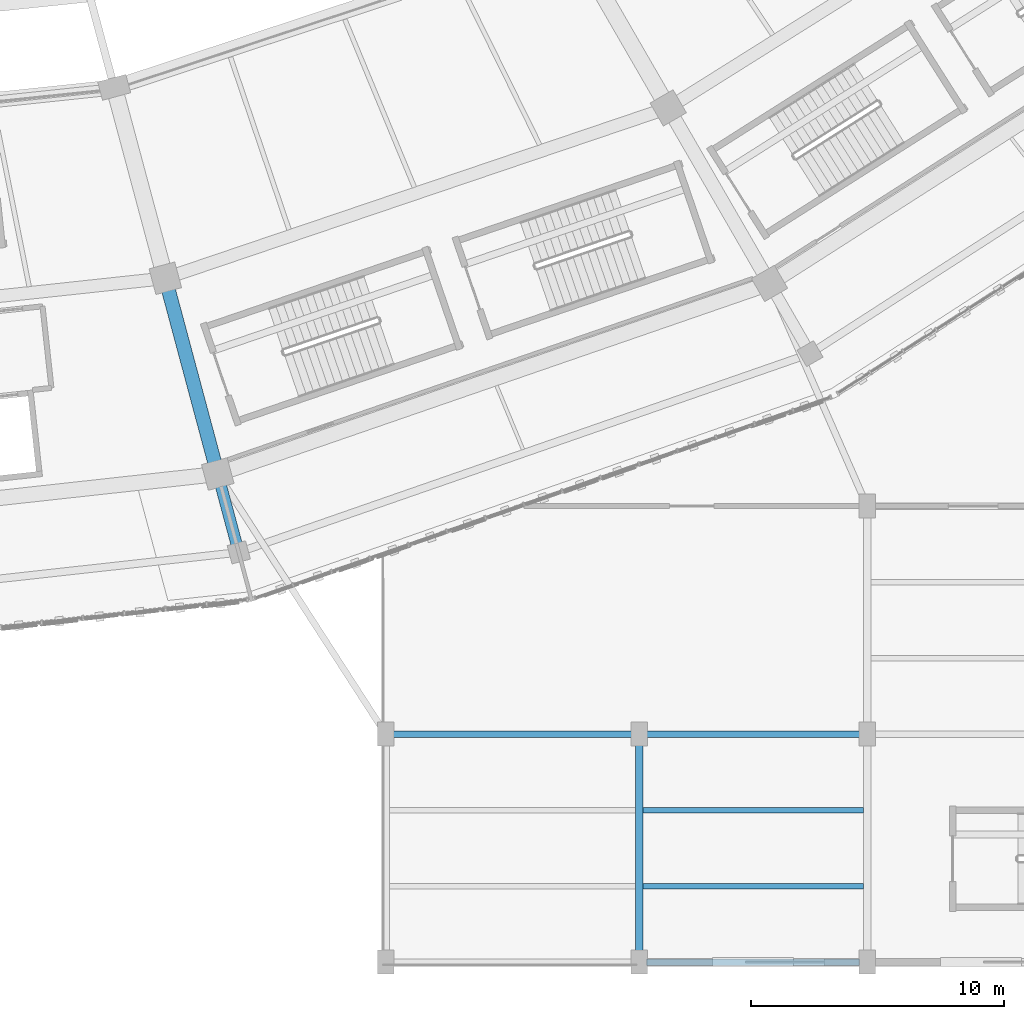
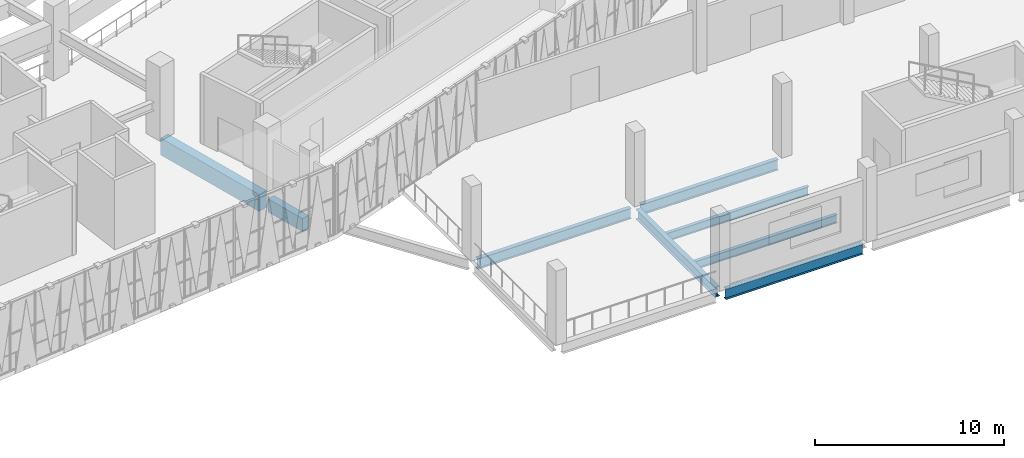
# One storey, part 27 of 179: 8 beams.
"""IFC4 building model written with IfcOpenShell, lengths in metres."""

from ifc_helpers import new_model, si_unit, direction, frame, origin, origin_2d, place, context, subcontext, project, spatial, rectangle, i_section, extrude, material, material_profile, profile_set, type_object, element, save


model = new_model("IFC4")

# Units and contexts
model_context = context("Model", 3, precision=1e-05, world=origin(), true_north=direction((0.0, 1.0)))
body_context = subcontext(model_context, "Body", "Model", "MODEL_VIEW")
ifc_project = project(units=[si_unit("LENGTHUNIT", "METRE"), si_unit("AREAUNIT", "SQUARE_METRE"), si_unit("VOLUMEUNIT", "CUBIC_METRE"), si_unit("PLANEANGLEUNIT", "RADIAN"), si_unit("MASSUNIT", "GRAM", prefix="KILO")], contexts=[model_context])

# Site, building, storey
site_placement = place(None, origin())
site = spatial("IfcSite", under=ifc_project, at=site_placement, CompositionType="ELEMENT")
building_placement = place(site_placement, origin())
building = spatial("IfcBuilding", under=site, at=building_placement, Name="Zevraka Park Crest Stadium", CompositionType="ELEMENT")
storey_placement = place(building_placement, frame((0.0, 0.0, 10.199951171875)))
storey = spatial("IfcBuildingStorey", under=building, at=storey_placement, Name="L02", CompositionType="ELEMENT", Elevation=10.199951171875)

# Beams
ifc_material_1 = material(Name="Concrete C40/50", Category="concrete")
ifc_material_profile_1 = material_profile(ifc_material_1, rectangle(XDim=0.550048828125, YDim=1.10009765625, at=origin_2d()), Name="RC 1100x550")
ifc_profile_set_1 = profile_set([ifc_material_profile_1], Name="Concrete C40/50")
beam_type_1 = type_object("IfcBeamType", Name="BG02", PredefinedType="BEAM", material=ifc_profile_set_1)
beam_1_placement = place(storey_placement, frame((133.37890625, 26.702880859375, -0.56005859375), z_axis=(0.258697599806, -0.965958359276, 0.0), x_axis=(0.965958359276, 0.258697599806, 0.0)))
element("IfcBeam", 1, at=beam_1_placement, inside=storey, type_object=beam_type_1, Name="Radial Girder BG02 L02-CD-19", PredefinedType="BEAM", context=body_context, shape_type="SweptSolid", body=[
    extrude(rectangle(XDim=0.550048828125, YDim=1.10009765625, at=origin_2d()), origin(), (0.0, 0.0, 1.0), 7.39892578125),
])
ifc_material_2 = material(Name="Concrete C40/50", Category="concrete")
ifc_material_profile_2 = material_profile(ifc_material_2, rectangle(XDim=0.449951171875, YDim=0.85009765625, at=origin_2d()), Name="RC 850x450")
ifc_profile_set_2 = profile_set([ifc_material_profile_2], Name="Concrete C40/50")
beam_type_2 = type_object("IfcBeamType", Name="BG03", PredefinedType="BEAM", material=ifc_profile_set_2)
beam_2_placement = place(storey_placement, frame((135.448974609375, 18.97607421875, -0.43505859375), z_axis=(0.258919157159, -0.965898995784, 0.0), x_axis=(0.965898995784, 0.258919157159, 0.0)))
element("IfcBeam", 2, at=beam_2_placement, inside=storey, type_object=beam_type_2, Name="Radial Girder BG03 L02-DE-19", PredefinedType="BEAM", context=body_context, shape_type="SweptSolid", body=[
    extrude(rectangle(XDim=0.449951171875, YDim=0.85009765625, at=origin_2d()), origin(), (0.0, 0.0, 1.0), 2.599609375),
])
ifc_material_3 = material(Name="Steel S355", Category="steel")
ifc_material_profile_3 = material_profile(ifc_material_3, i_section(OverallWidth=0.253662109375, OverallDepth=0.68359375, WebThickness=0.012451171875, FlangeThickness=0.01904296875, at=origin_2d()), Name="UKB 686x254x140")
ifc_profile_set_3 = profile_set([ifc_material_profile_3], Name="Steel S355")
beam_type_3 = type_object("IfcBeamType", Name="BG05", PredefinedType="BEAM", material=ifc_profile_set_3)
beam_3_placement = place(storey_placement, frame((142.300048828125, 9.0, -0.629638671875), z_axis=(1.0, 0.0, 0.0), x_axis=(0.0, 1.0, 0.0)))
element("IfcBeam", 3, at=beam_3_placement, inside=storey, type_object=beam_type_3, Name="Wing Girder BG05 L02-1617/B", PredefinedType="BEAM", context=body_context, shape_type="SweptSolid", body=[
    extrude(i_section(OverallWidth=0.253662109375, OverallDepth=0.68359375, WebThickness=0.012451171875, FlangeThickness=0.01904296875, at=origin_2d()), origin(), (0.0, 0.0, 1.0), 9.39990234375),
])
for number, where, z_axis, x_axis, name in (
    (4, (152.300048828125, 0.0, -0.629638671875), (1.0, 0.0, 0.0), (0.0, 1.0, 0.0), "Wing Girder BG05 L02-1718/A"),
    (5, (152.300048828125, 9.0, -0.629638671875), (1.0, 0.0, 0.0), (0.0, 1.0, 0.0), "Wing Girder BG05 L02-1718/B"),
):
    element("IfcBeam", number, at=place(storey_placement, frame(where, z_axis=z_axis, x_axis=x_axis)), inside=storey, type_object=beam_type_3, Name=name, PredefinedType="BEAM", context=body_context, shape_type="SweptSolid", body=[
        extrude(i_section(OverallWidth=0.253662109375, OverallDepth=0.68359375, WebThickness=0.012451171875, FlangeThickness=0.01904296875, at=origin_2d()), origin(), (0.0, 0.0, 1.0), 8.39990234375),
    ])
ifc_material_4 = material(Name="Steel S355", Category="steel")
ifc_material_profile_4 = material_profile(ifc_material_4, i_section(OverallWidth=0.300048828125, OverallDepth=0.64990234375, WebThickness=0.01611328125, FlangeThickness=0.031005859375, at=origin_2d()), Name="HEB 650")
ifc_profile_set_4 = profile_set([ifc_material_profile_4], Name="Steel S355")
beam_type_4 = type_object("IfcBeamType", Name="BG07", PredefinedType="BEAM", material=ifc_profile_set_4)
beam_4_placement = place(storey_placement, frame((152.0, 0.300048828125, -0.613037109375), z_axis=(0.0, 1.0, 0.0), x_axis=(-1.0, 0.0, 0.0)))
element("IfcBeam", 6, at=beam_4_placement, inside=storey, type_object=beam_type_4, Name="Wing Girder BG07 L02-17/AB", PredefinedType="BEAM", context=body_context, shape_type="SweptSolid", body=[
    extrude(i_section(OverallWidth=0.300048828125, OverallDepth=0.64990234375, WebThickness=0.01611328125, FlangeThickness=0.031005859375, at=origin_2d()), origin(), (0.0, 0.0, 1.0), 8.39990234375),
])
ifc_material_5 = material(Name="Steel S355", Category="steel")
ifc_material_profile_5 = material_profile(ifc_material_5, i_section(OverallWidth=0.209228515625, OverallDepth=0.533203125, WebThickness=0.010009765625, FlangeThickness=0.015625, at=origin_2d()), Name="UKB 533x210x92")
ifc_profile_set_5 = profile_set([ifc_material_profile_5], Name="Steel S355")
beam_type_5 = type_object("IfcBeamType", Name="SJ05", PredefinedType="JOIST", material=ifc_profile_set_5)
for number, where, z_axis, x_axis, name in (
    (7, (152.14501953125, 3.0, -0.556396484375), (1.0, 0.0, 0.0), (0.0, 1.0, 0.0), "Wing Joist SJ05 L02-17/A-1"),
    (8, (152.14501953125, 6.0, -0.556396484375), (1.0, 0.0, 0.0), (0.0, 1.0, 0.0), "Wing Joist SJ05 L02-17/A-2"),
):
    element("IfcBeam", number, at=place(storey_placement, frame(where, z_axis=z_axis, x_axis=x_axis)), inside=storey, type_object=beam_type_5, Name=name, PredefinedType="JOIST", context=body_context, shape_type="SweptSolid", body=[
        extrude(i_section(OverallWidth=0.209228515625, OverallDepth=0.533203125, WebThickness=0.010009765625, FlangeThickness=0.015625, at=origin_2d()), origin(), (0.0, 0.0, 1.0), 8.7099609375),
    ])

save(model, "model.ifc")
